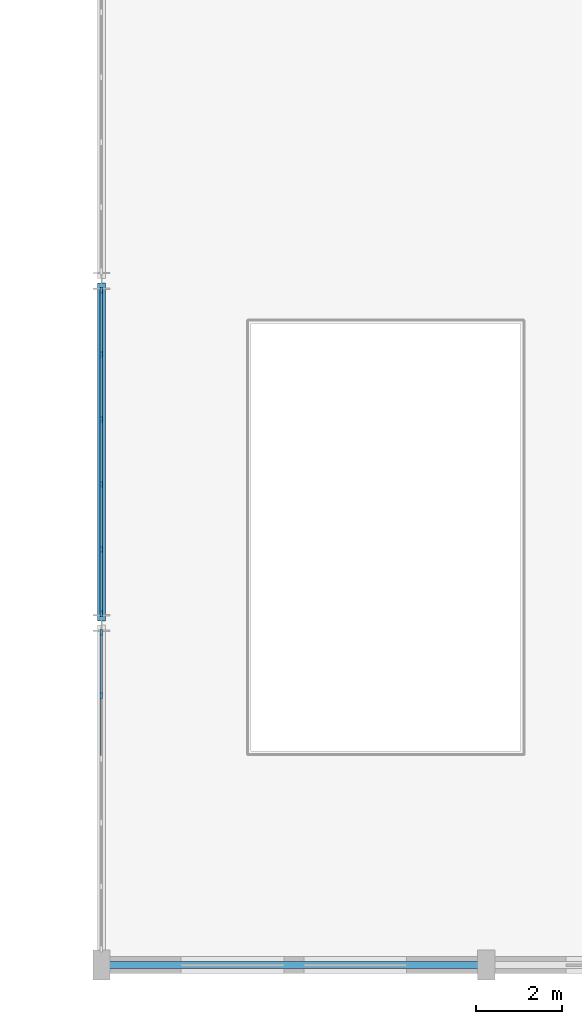
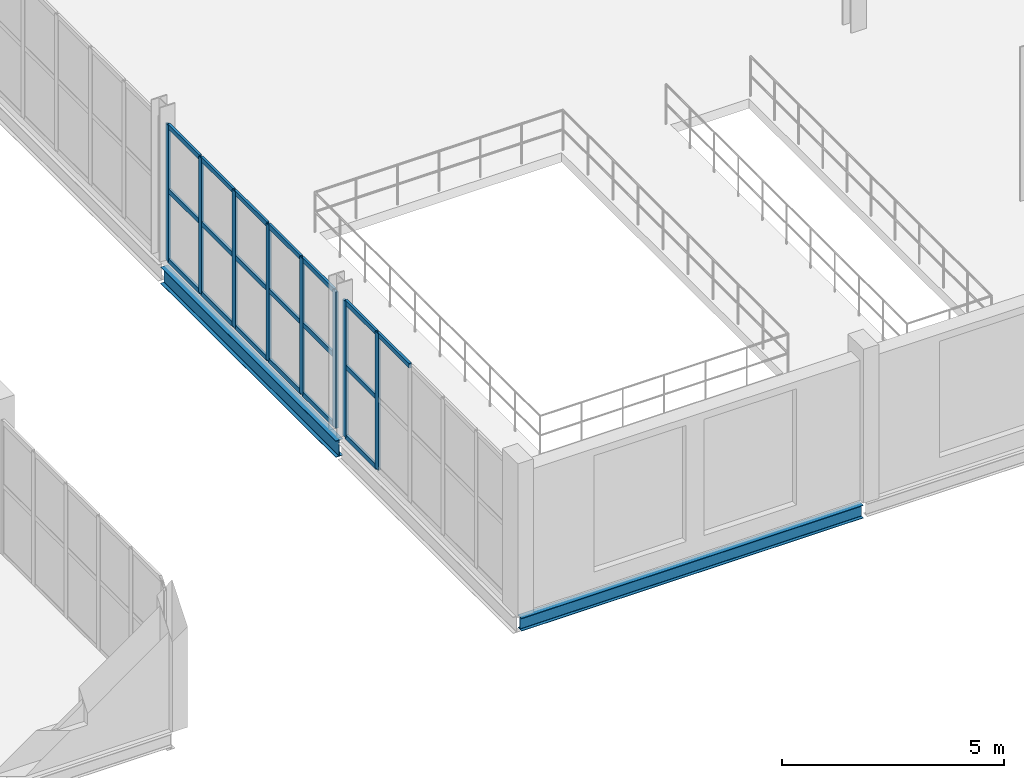
# One storey, part 19 of 85: 27 members, 2 beams, 2 elements without a shape of their own.
"""IFC4 building model written with IfcOpenShell, lengths in metres."""

from ifc_helpers import new_model, si_unit, direction, frame, origin, origin_2d, place, context, subcontext, project, spatial, rectangle, i_section, extrude, material, layer, layer_set, material_profile, profile_set, type_object, element, aggregate, save


model = new_model("IFC4")

# Units and contexts
model_context = context("Model", 3, precision=1e-05, world=origin(), true_north=direction((0.0, 1.0)))
body_context = subcontext(model_context, "Body", "Model", "MODEL_VIEW")
ifc_project = project(units=[si_unit("LENGTHUNIT", "METRE"), si_unit("AREAUNIT", "SQUARE_METRE"), si_unit("VOLUMEUNIT", "CUBIC_METRE"), si_unit("PLANEANGLEUNIT", "RADIAN"), si_unit("MASSUNIT", "GRAM", prefix="KILO")], contexts=[model_context])

# Site, building, storey
site_placement = place(None, origin())
site = spatial("IfcSite", under=ifc_project, at=site_placement, CompositionType="ELEMENT")
building_placement = place(site_placement, origin())
building = spatial("IfcBuilding", under=site, at=building_placement, Name="Marnock Terrace Opera House", CompositionType="ELEMENT")
storey_placement = place(building_placement, frame((0.0, 0.0, 10.199951171875)))
storey = spatial("IfcBuildingStorey", under=building, at=storey_placement, Name="L02", CompositionType="ELEMENT", Elevation=10.199951171875)

# Beams
ifc_material_1 = material(Name="Steel Grade 350 (AS/NZS 3679.1)", Category="steel")
ifc_material_profile_1 = material_profile(ifc_material_1, i_section(OverallWidth=0.18994140625, OverallDepth=0.45751953125, WebThickness=0.009033203125, FlangeThickness=0.014404296875, FilletRadius=0.011474609375, at=origin_2d()))
ifc_profile_set_1 = profile_set([ifc_material_profile_1], Name="Steel Grade 350 (AS/NZS 3679.1)")
beam_type_1 = type_object("IfcBeamType", Name="BM-GIRD-460B", PredefinedType="BEAM", material=ifc_profile_set_1)
beam_1_placement = place(storey_placement, frame((55.0, 16.050048828125, -0.48876953125), z_axis=(0.0, 1.0, 0.0), x_axis=(-1.0, 0.0, 0.0)))
element("IfcBeam", 1, at=beam_1_placement, inside=storey, type_object=beam_type_1, Name="L02 girder (X=55.0, 16.0..24.0)", PredefinedType="BEAM", context=body_context, shape_type="SweptSolid", body=[
    extrude(i_section(OverallWidth=0.18994140625, OverallDepth=0.45751953125, WebThickness=0.009033203125, FlangeThickness=0.014404296875, FilletRadius=0.011474609375, at=origin_2d()), origin(), (0.0, 0.0, 1.0), 7.89990234375),
])
ifc_material_profile_2 = material_profile(ifc_material_1, i_section(OverallWidth=0.172119140625, OverallDepth=0.358642578125, WebThickness=0.008056640625, FlangeThickness=0.012939453125, FilletRadius=0.011474609375, at=origin_2d()))
ifc_profile_set_2 = profile_set([ifc_material_profile_2], Name="Steel Grade 350 (AS/NZS 3679.1)")
beam_type_2 = type_object("IfcBeamType", Name="BM-SPAN-360", PredefinedType="SPANDREL", material=ifc_profile_set_2)
beam_2_placement = place(storey_placement, frame((55.050048828125, 8.0, -0.439208984375), z_axis=(1.0, 0.0, 0.0), x_axis=(0.0, 1.0, 0.0)))
element("IfcBeam", 2, at=beam_2_placement, inside=storey, type_object=beam_type_2, Name="L02 girder (55.0..64.0, Y=8.0)", PredefinedType="SPANDREL", context=body_context, shape_type="SweptSolid", body=[
    extrude(i_section(OverallWidth=0.172119140625, OverallDepth=0.358642578125, WebThickness=0.008056640625, FlangeThickness=0.012939453125, FilletRadius=0.011474609375, at=origin_2d()), origin(), (0.0, 0.0, 1.0), 8.89990234375),
])

# Curtain wall, members
ifc_material_2 = material(Name="Anodised architectural bronze aluminium framing", Category="aluminium")
ifc_layer = layer(ifc_material_2, 0.159912109375)
ifc_layer_set = layer_set([ifc_layer], Name="Anodised architectural bronze aluminium framing")
curtain_wall_type = type_object("IfcCurtainWallType", Name="CW-FOYER-80x42", PredefinedType="NOTDEFINED", material=ifc_layer_set)
curtain_wall_1_placement = place(storey_placement, origin())
curtain_wall_1 = element("IfcCurtainWall", 3, at=curtain_wall_1_placement, inside=storey, type_object=curtain_wall_type, Name="L02 glazed Beaux-Arts colonnade curtain wall CW-V1W-L02-01", PredefinedType="NOTDEFINED")
ifc_material_profile_3 = material_profile(ifc_material_2, rectangle(XDim=0.06005859375, YDim=0.14990234375, at=origin_2d()))
ifc_profile_set_3 = profile_set([ifc_material_profile_3], Name="Anodised architectural bronze aluminium framing")
member_type_1 = type_object("IfcMemberType", Name="CWM-60x150", PredefinedType="MULLION", material=ifc_profile_set_3)
member_1_placement = place(storey_placement, frame((55.0, 14.3125, 0.0), z_axis=(0.0, 0.0, 1.0), x_axis=(-1.0, 0.0, 0.0)))
member_1 = element("IfcMember", 4, at=member_1_placement, type_object=member_type_1, Name="CW-62 mullion 5", PredefinedType="MULLION", context=body_context, shape_type="SweptSolid", body=[
    extrude(rectangle(XDim=0.06005859375, YDim=0.14990234375, at=origin_2d()), origin(), (0.0, 0.0, 1.0), 3.752685546875),
])
member_2_placement = place(storey_placement, frame((55.0, 15.77392578125, 0.0), z_axis=(0.0, 0.0, 1.0), x_axis=(-1.0, 0.0, 0.0)))
member_2 = element("IfcMember", 5, at=member_2_placement, type_object=member_type_1, Name="CW-62 mullion 6", PredefinedType="MULLION", context=body_context, shape_type="SweptSolid", body=[
    extrude(rectangle(XDim=0.06005859375, YDim=0.14990234375, at=origin_2d()), origin(), (0.0, 0.0, 1.0), 3.752685546875),
])

curtain_wall_2_placement = place(storey_placement, origin())
curtain_wall_2 = element("IfcCurtainWall", 6, at=curtain_wall_2_placement, inside=storey, type_object=curtain_wall_type, Name="L02 glazed Beaux-Arts colonnade curtain wall CW-V1W-L02-02", PredefinedType="NOTDEFINED")
member_3_placement = place(storey_placement, frame((55.0, 16.22607421875, 0.0), z_axis=(0.0, 0.0, 1.0), x_axis=(-1.0, 0.0, 0.0)))
member_3 = element("IfcMember", 7, at=member_3_placement, type_object=member_type_1, Name="CW-62 mullion 1", PredefinedType="MULLION", context=body_context, shape_type="SweptSolid", body=[
    extrude(rectangle(XDim=0.06005859375, YDim=0.14990234375, at=origin_2d()), origin(), (0.0, 0.0, 1.0), 3.752685546875),
])
member_4_placement = place(storey_placement, frame((55.0, 17.717529296875, 0.0), z_axis=(0.0, 0.0, 1.0), x_axis=(-1.0, 0.0, 0.0)))
member_4 = element("IfcMember", 8, at=member_4_placement, type_object=member_type_1, Name="CW-62 mullion 2", PredefinedType="MULLION", context=body_context, shape_type="SweptSolid", body=[
    extrude(rectangle(XDim=0.06005859375, YDim=0.14990234375, at=origin_2d()), origin(), (0.0, 0.0, 1.0), 3.752685546875),
])
member_5_placement = place(storey_placement, frame((55.0, 19.2392578125, 0.0), z_axis=(0.0, 0.0, 1.0), x_axis=(-1.0, 0.0, 0.0)))
member_5 = element("IfcMember", 9, at=member_5_placement, type_object=member_type_1, Name="CW-62 mullion 3", PredefinedType="MULLION", context=body_context, shape_type="SweptSolid", body=[
    extrude(rectangle(XDim=0.06005859375, YDim=0.14990234375, at=origin_2d()), origin(), (0.0, 0.0, 1.0), 3.752685546875),
])
member_6_placement = place(storey_placement, frame((55.0, 20.7607421875, 0.0), z_axis=(0.0, 0.0, 1.0), x_axis=(-1.0, 0.0, 0.0)))
member_6 = element("IfcMember", 10, at=member_6_placement, type_object=member_type_1, Name="CW-62 mullion 4", PredefinedType="MULLION", context=body_context, shape_type="SweptSolid", body=[
    extrude(rectangle(XDim=0.06005859375, YDim=0.14990234375, at=origin_2d()), origin(), (0.0, 0.0, 1.0), 3.752685546875),
])
member_7_placement = place(storey_placement, frame((55.0, 22.282470703125, 0.0), z_axis=(0.0, 0.0, 1.0), x_axis=(-1.0, 0.0, 0.0)))
member_7 = element("IfcMember", 11, at=member_7_placement, type_object=member_type_1, Name="CW-62 mullion 5", PredefinedType="MULLION", context=body_context, shape_type="SweptSolid", body=[
    extrude(rectangle(XDim=0.06005859375, YDim=0.14990234375, at=origin_2d()), origin(), (0.0, 0.0, 1.0), 3.752685546875),
])
member_8_placement = place(storey_placement, frame((55.0, 23.77392578125, 0.0), z_axis=(0.0, 0.0, 1.0), x_axis=(-1.0, 0.0, 0.0)))
member_8 = element("IfcMember", 12, at=member_8_placement, type_object=member_type_1, Name="CW-62 mullion 6", PredefinedType="MULLION", context=body_context, shape_type="SweptSolid", body=[
    extrude(rectangle(XDim=0.06005859375, YDim=0.14990234375, at=origin_2d()), origin(), (0.0, 0.0, 1.0), 3.752685546875),
])

# Member
ifc_material_profile_4 = material_profile(ifc_material_2, rectangle(XDim=0.06005859375, YDim=0.1298828125, at=origin_2d()))
ifc_profile_set_4 = profile_set([ifc_material_profile_4], Name="Anodised architectural bronze aluminium framing")
member_type_2 = type_object("IfcMemberType", Name="CWT-60x130", PredefinedType="USERDEFINED", material=ifc_profile_set_4)
member_9_placement = place(storey_placement, frame((55.0, 12.850830078125, 3.72265625), z_axis=(0.0, 1.0, 0.0), x_axis=(-1.0, 0.0, 0.0)))
member_9 = element("IfcMember", 13, at=member_9_placement, type_object=member_type_2, Name="CW-62 transom 4.3", ObjectType="TRANSOM", PredefinedType="USERDEFINED", context=body_context, shape_type="SweptSolid", body=[
    extrude(rectangle(XDim=0.06005859375, YDim=0.1298828125, at=origin_2d()), origin(), (0.0, 0.0, 1.0), 1.431640625),
])

member_10_placement = place(storey_placement, frame((55.0, 14.34228515625, 0.030029296875), z_axis=(0.0, 1.0, 0.0), x_axis=(-1.0, 0.0, 0.0)))
member_10 = element("IfcMember", 14, at=member_10_placement, type_object=member_type_2, Name="CW-62 transom 5.1", ObjectType="TRANSOM", PredefinedType="USERDEFINED", context=body_context, shape_type="SweptSolid", body=[
    extrude(rectangle(XDim=0.06005859375, YDim=0.1298828125, at=origin_2d()), origin(), (0.0, 0.0, 1.0), 1.401611328125),
])

member_11_placement = place(storey_placement, frame((55.0, 14.34228515625, 1.951416015625), z_axis=(0.0, 1.0, 0.0), x_axis=(-1.0, 0.0, 0.0)))
member_11 = element("IfcMember", 15, at=member_11_placement, type_object=member_type_2, Name="CW-62 transom 5.2", ObjectType="TRANSOM", PredefinedType="USERDEFINED", context=body_context, shape_type="SweptSolid", body=[
    extrude(rectangle(XDim=0.06005859375, YDim=0.1298828125, at=origin_2d()), origin(), (0.0, 0.0, 1.0), 1.401611328125),
])

member_12_placement = place(storey_placement, frame((55.0, 14.34228515625, 3.72265625), z_axis=(0.0, 1.0, 0.0), x_axis=(-1.0, 0.0, 0.0)))
member_12 = element("IfcMember", 16, at=member_12_placement, type_object=member_type_2, Name="CW-62 transom 5.3", ObjectType="TRANSOM", PredefinedType="USERDEFINED", context=body_context, shape_type="SweptSolid", body=[
    extrude(rectangle(XDim=0.06005859375, YDim=0.1298828125, at=origin_2d()), origin(), (0.0, 0.0, 1.0), 1.401611328125),
])

aggregate(curtain_wall_1, [member_1, member_2, member_9, member_10, member_11, member_12])

member_13_placement = place(storey_placement, frame((55.0, 16.256103515625, 0.030029296875), z_axis=(0.0, 1.0, 0.0), x_axis=(-1.0, 0.0, 0.0)))
member_13 = element("IfcMember", 17, at=member_13_placement, type_object=member_type_2, Name="CW-62 transom 1.1", ObjectType="TRANSOM", PredefinedType="USERDEFINED", context=body_context, shape_type="SweptSolid", body=[
    extrude(rectangle(XDim=0.06005859375, YDim=0.1298828125, at=origin_2d()), origin(), (0.0, 0.0, 1.0), 1.431396484375),
])

member_14_placement = place(storey_placement, frame((55.0, 16.256103515625, 1.951416015625), z_axis=(0.0, 1.0, 0.0), x_axis=(-1.0, 0.0, 0.0)))
member_14 = element("IfcMember", 18, at=member_14_placement, type_object=member_type_2, Name="CW-62 transom 1.2", ObjectType="TRANSOM", PredefinedType="USERDEFINED", context=body_context, shape_type="SweptSolid", body=[
    extrude(rectangle(XDim=0.06005859375, YDim=0.1298828125, at=origin_2d()), origin(), (0.0, 0.0, 1.0), 1.431396484375),
])

member_15_placement = place(storey_placement, frame((55.0, 16.256103515625, 3.72265625), z_axis=(0.0, 1.0, 0.0), x_axis=(-1.0, 0.0, 0.0)))
member_15 = element("IfcMember", 19, at=member_15_placement, type_object=member_type_2, Name="CW-62 transom 1.3", ObjectType="TRANSOM", PredefinedType="USERDEFINED", context=body_context, shape_type="SweptSolid", body=[
    extrude(rectangle(XDim=0.06005859375, YDim=0.1298828125, at=origin_2d()), origin(), (0.0, 0.0, 1.0), 1.431396484375),
])

member_16_placement = place(storey_placement, frame((55.0, 17.74755859375, 0.030029296875), z_axis=(0.0, 1.0, 0.0), x_axis=(-1.0, 0.0, 0.0)))
member_16 = element("IfcMember", 20, at=member_16_placement, type_object=member_type_2, Name="CW-62 transom 2.1", ObjectType="TRANSOM", PredefinedType="USERDEFINED", context=body_context, shape_type="SweptSolid", body=[
    extrude(rectangle(XDim=0.06005859375, YDim=0.1298828125, at=origin_2d()), origin(), (0.0, 0.0, 1.0), 1.461669921875),
])

member_17_placement = place(storey_placement, frame((55.0, 17.74755859375, 1.951416015625), z_axis=(0.0, 1.0, 0.0), x_axis=(-1.0, 0.0, 0.0)))
member_17 = element("IfcMember", 21, at=member_17_placement, type_object=member_type_2, Name="CW-62 transom 2.2", ObjectType="TRANSOM", PredefinedType="USERDEFINED", context=body_context, shape_type="SweptSolid", body=[
    extrude(rectangle(XDim=0.06005859375, YDim=0.1298828125, at=origin_2d()), origin(), (0.0, 0.0, 1.0), 1.461669921875),
])

member_18_placement = place(storey_placement, frame((55.0, 17.74755859375, 3.72265625), z_axis=(0.0, 1.0, 0.0), x_axis=(-1.0, 0.0, 0.0)))
member_18 = element("IfcMember", 22, at=member_18_placement, type_object=member_type_2, Name="CW-62 transom 2.3", ObjectType="TRANSOM", PredefinedType="USERDEFINED", context=body_context, shape_type="SweptSolid", body=[
    extrude(rectangle(XDim=0.06005859375, YDim=0.1298828125, at=origin_2d()), origin(), (0.0, 0.0, 1.0), 1.461669921875),
])

member_19_placement = place(storey_placement, frame((55.0, 19.269287109375, 0.030029296875), z_axis=(0.0, 1.0, 0.0), x_axis=(-1.0, 0.0, 0.0)))
member_19 = element("IfcMember", 23, at=member_19_placement, type_object=member_type_2, Name="CW-62 transom 3.1", ObjectType="TRANSOM", PredefinedType="USERDEFINED", context=body_context, shape_type="SweptSolid", body=[
    extrude(rectangle(XDim=0.06005859375, YDim=0.1298828125, at=origin_2d()), origin(), (0.0, 0.0, 1.0), 1.46142578125),
])

member_20_placement = place(storey_placement, frame((55.0, 19.269287109375, 1.951416015625), z_axis=(0.0, 1.0, 0.0), x_axis=(-1.0, 0.0, 0.0)))
member_20 = element("IfcMember", 24, at=member_20_placement, type_object=member_type_2, Name="CW-62 transom 3.2", ObjectType="TRANSOM", PredefinedType="USERDEFINED", context=body_context, shape_type="SweptSolid", body=[
    extrude(rectangle(XDim=0.06005859375, YDim=0.1298828125, at=origin_2d()), origin(), (0.0, 0.0, 1.0), 1.46142578125),
])

member_21_placement = place(storey_placement, frame((55.0, 19.269287109375, 3.72265625), z_axis=(0.0, 1.0, 0.0), x_axis=(-1.0, 0.0, 0.0)))
member_21 = element("IfcMember", 25, at=member_21_placement, type_object=member_type_2, Name="CW-62 transom 3.3", ObjectType="TRANSOM", PredefinedType="USERDEFINED", context=body_context, shape_type="SweptSolid", body=[
    extrude(rectangle(XDim=0.06005859375, YDim=0.1298828125, at=origin_2d()), origin(), (0.0, 0.0, 1.0), 1.46142578125),
])

member_22_placement = place(storey_placement, frame((55.0, 20.790771484375, 0.030029296875), z_axis=(0.0, 1.0, 0.0), x_axis=(-1.0, 0.0, 0.0)))
member_22 = element("IfcMember", 26, at=member_22_placement, type_object=member_type_2, Name="CW-62 transom 4.1", ObjectType="TRANSOM", PredefinedType="USERDEFINED", context=body_context, shape_type="SweptSolid", body=[
    extrude(rectangle(XDim=0.06005859375, YDim=0.1298828125, at=origin_2d()), origin(), (0.0, 0.0, 1.0), 1.461669921875),
])

member_23_placement = place(storey_placement, frame((55.0, 20.790771484375, 1.951416015625), z_axis=(0.0, 1.0, 0.0), x_axis=(-1.0, 0.0, 0.0)))
member_23 = element("IfcMember", 27, at=member_23_placement, type_object=member_type_2, Name="CW-62 transom 4.2", ObjectType="TRANSOM", PredefinedType="USERDEFINED", context=body_context, shape_type="SweptSolid", body=[
    extrude(rectangle(XDim=0.06005859375, YDim=0.1298828125, at=origin_2d()), origin(), (0.0, 0.0, 1.0), 1.461669921875),
])

member_24_placement = place(storey_placement, frame((55.0, 20.790771484375, 3.72265625), z_axis=(0.0, 1.0, 0.0), x_axis=(-1.0, 0.0, 0.0)))
member_24 = element("IfcMember", 28, at=member_24_placement, type_object=member_type_2, Name="CW-62 transom 4.3", ObjectType="TRANSOM", PredefinedType="USERDEFINED", context=body_context, shape_type="SweptSolid", body=[
    extrude(rectangle(XDim=0.06005859375, YDim=0.1298828125, at=origin_2d()), origin(), (0.0, 0.0, 1.0), 1.461669921875),
])

member_25_placement = place(storey_placement, frame((55.0, 22.3125, 0.030029296875), z_axis=(0.0, 1.0, 0.0), x_axis=(-1.0, 0.0, 0.0)))
member_25 = element("IfcMember", 29, at=member_25_placement, type_object=member_type_2, Name="CW-62 transom 5.1", ObjectType="TRANSOM", PredefinedType="USERDEFINED", context=body_context, shape_type="SweptSolid", body=[
    extrude(rectangle(XDim=0.06005859375, YDim=0.1298828125, at=origin_2d()), origin(), (0.0, 0.0, 1.0), 1.431396484375),
])

member_26_placement = place(storey_placement, frame((55.0, 22.3125, 1.951416015625), z_axis=(0.0, 1.0, 0.0), x_axis=(-1.0, 0.0, 0.0)))
member_26 = element("IfcMember", 30, at=member_26_placement, type_object=member_type_2, Name="CW-62 transom 5.2", ObjectType="TRANSOM", PredefinedType="USERDEFINED", context=body_context, shape_type="SweptSolid", body=[
    extrude(rectangle(XDim=0.06005859375, YDim=0.1298828125, at=origin_2d()), origin(), (0.0, 0.0, 1.0), 1.431396484375),
])

member_27_placement = place(storey_placement, frame((55.0, 22.3125, 3.72265625), z_axis=(0.0, 1.0, 0.0), x_axis=(-1.0, 0.0, 0.0)))
member_27 = element("IfcMember", 31, at=member_27_placement, type_object=member_type_2, Name="CW-62 transom 5.3", ObjectType="TRANSOM", PredefinedType="USERDEFINED", context=body_context, shape_type="SweptSolid", body=[
    extrude(rectangle(XDim=0.06005859375, YDim=0.1298828125, at=origin_2d()), origin(), (0.0, 0.0, 1.0), 1.431396484375),
])

aggregate(curtain_wall_2, [member_3, member_4, member_5, member_6, member_7, member_8, member_13, member_14, member_15, member_16, member_17, member_18, member_19, member_20, member_21, member_22, member_23, member_24, member_25, member_26, member_27])

save(model, "model.ifc")
